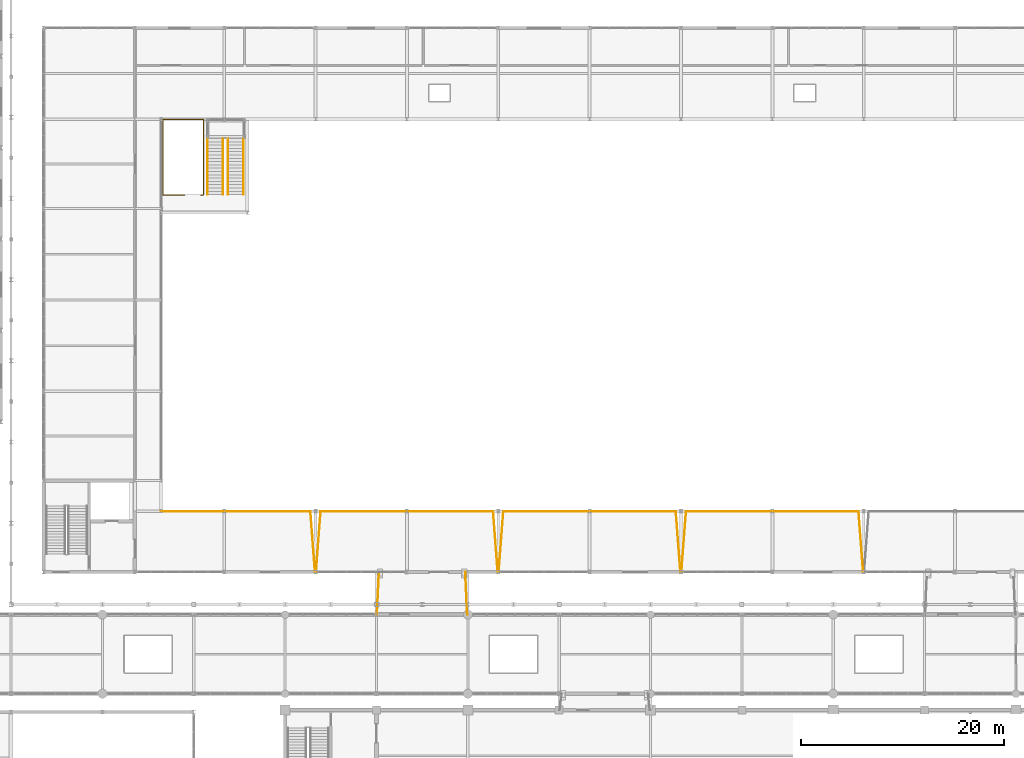
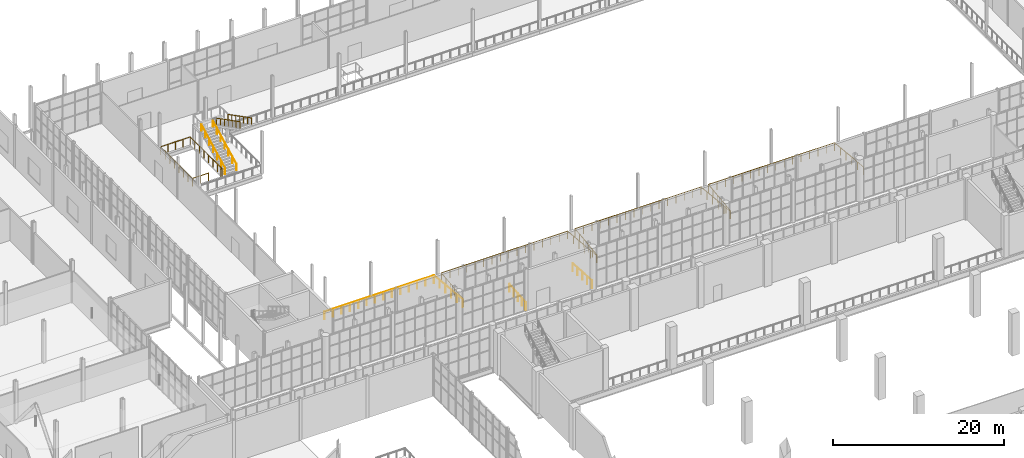
# One storey, part 150 of 159: 11 railings.
"""IFC4 building model written with IfcOpenShell, lengths in metres."""

from ifc_helpers import new_model, si_unit, direction, frame, origin, origin_2d, place, context, subcontext, project, spatial, circle, extrude, material, type_object, element, save


model = new_model("IFC4")

# Units and contexts
model_context = context("Model", 3, precision=1e-05, world=origin(), true_north=direction((0.0, 1.0)))
body_context = subcontext(model_context, "Body", "Model", "MODEL_VIEW")
ifc_project = project(units=[si_unit("LENGTHUNIT", "METRE"), si_unit("AREAUNIT", "SQUARE_METRE"), si_unit("VOLUMEUNIT", "CUBIC_METRE"), si_unit("PLANEANGLEUNIT", "RADIAN"), si_unit("MASSUNIT", "GRAM", prefix="KILO")], contexts=[model_context])

# Site, building, storey
site_placement = place(None, origin())
site = spatial("IfcSite", under=ifc_project, at=site_placement, CompositionType="ELEMENT")
building_placement = place(site_placement, origin())
building = spatial("IfcBuilding", under=site, at=building_placement, Name="Cazmaro Siding Exhibition Halls", CompositionType="ELEMENT")
storey_placement = place(building_placement, frame((0.0, 0.0, 6.0)))
storey = spatial("IfcBuildingStorey", under=building, at=storey_placement, Name="L01", CompositionType="ELEMENT", Elevation=6.0)

# Railings
ifc_material_1 = material(Name="Laminated Glass and Brushed Stainless Steel Balustrade", Category="steel")
railing_type_1 = type_object("IfcRailingType", Name="RL-BAL-01", PredefinedType="BALUSTRADE", material=ifc_material_1)
railing_1_placement = place(storey_placement, frame((81.050048828125, 63.0, 0.0)))
element("IfcRailing", 1, at=railing_1_placement, inside=storey, type_object=railing_type_1, Name="Bridge SB-01 West Guard L01 RL-BAL-01 RL-G019", PredefinedType="BALUSTRADE", context=body_context, shape_type="SweptSolid", body=[
    extrude(circle(Radius=0.02392578125, at=origin_2d()), frame((0.0, 0.0, 1.09619140625), z_axis=(0.047554114695, 0.998868663126, 0.0), x_axis=(-0.998868663126, 0.047554114695, 0.0)), (0.0, 0.0, 1.0), 4.20458984375),
    extrude(circle(Radius=0.02099609375, at=origin_2d()), origin(), (0.0, 0.0, 1.0), 1.072021484375),
    extrude(circle(Radius=0.02099609375, at=origin_2d()), frame((0.050048828125, 1.050048828125, 0.0)), (0.0, 0.0, 1.0), 1.072021484375),
    extrude(circle(Radius=0.02099609375, at=origin_2d()), frame((0.10009765625, 2.10009765625, 0.0)), (0.0, 0.0, 1.0), 1.072021484375),
    extrude(circle(Radius=0.02099609375, at=origin_2d()), frame((0.14990234375, 3.14990234375, 0.0)), (0.0, 0.0, 1.0), 1.072021484375),
    extrude(circle(Radius=0.02099609375, at=origin_2d()), frame((0.199951171875, 4.199951171875, 0.0)), (0.0, 0.0, 1.0), 1.072021484375),
])
railing_2_placement = place(storey_placement, frame((89.949951171875, 63.0, 0.0)))
element("IfcRailing", 2, at=railing_2_placement, inside=storey, type_object=railing_type_1, Name="Bridge SB-01 East Guard L01 RL-BAL-01 RL-G020", PredefinedType="BALUSTRADE", context=body_context, shape_type="SweptSolid", body=[
    extrude(circle(Radius=0.02392578125, at=origin_2d()), frame((0.0, 0.0, 1.09619140625), z_axis=(-0.047554114695, 0.998868663126, 0.0), x_axis=(-0.998868663126, -0.047554114695, 0.0)), (0.0, 0.0, 1.0), 4.20458984375),
    extrude(circle(Radius=0.02099609375, at=origin_2d()), origin(), (0.0, 0.0, 1.0), 1.072021484375),
    extrude(circle(Radius=0.02099609375, at=origin_2d()), frame((-0.050048828125, 1.050048828125, 0.0)), (0.0, 0.0, 1.0), 1.072021484375),
    extrude(circle(Radius=0.02099609375, at=origin_2d()), frame((-0.10009765625, 2.10009765625, 0.0)), (0.0, 0.0, 1.0), 1.072021484375),
    extrude(circle(Radius=0.02099609375, at=origin_2d()), frame((-0.14990234375, 3.14990234375, 0.0)), (0.0, 0.0, 1.0), 1.072021484375),
    extrude(circle(Radius=0.02099609375, at=origin_2d()), frame((-0.199951171875, 4.199951171875, 0.0)), (0.0, 0.0, 1.0), 1.072021484375),
])
ifc_material_2 = material(Name="Interior Laminated Glass and Brushed Stainless Steel Balustrade", Category="steel")
railing_type_2 = type_object("IfcRailingType", Name="RL-BAL-02", PredefinedType="BALUSTRADE", material=ifc_material_2)
railing_3_placement = place(storey_placement, frame((59.75, 73.14990234375, 0.0)))
element("IfcRailing", 3, at=railing_3_placement, inside=storey, type_object=railing_type_2, Name="Hall A South Catwalk Guard L01 RL-BAL-02 RL-G011", PredefinedType="BALUSTRADE", context=body_context, shape_type="SweptSolid", body=[
    extrude(circle(Radius=0.02392578125, at=origin_2d()), frame((0.0, 0.0, 1.09619140625), z_axis=(1.0, 0.0, 0.0), x_axis=(0.0, 1.0, 0.0)), (0.0, 0.0, 1.0), 14.75),
    extrude(circle(Radius=0.02392578125, at=origin_2d()), frame((14.75, 0.0, 1.09619140625), z_axis=(0.076043350844, -0.997104512472, 0.0), x_axis=(0.997104512472, 0.076043350844, 0.0)), (0.0, 0.0, 1.0), 5.9169921875),
    extrude(circle(Radius=0.02099609375, at=origin_2d()), origin(), (0.0, 0.0, 1.0), 1.072021484375),
    extrude(circle(Radius=0.02099609375, at=origin_2d()), frame((1.134521484375, 0.0, 0.0)), (0.0, 0.0, 1.0), 1.072021484375),
    extrude(circle(Radius=0.02099609375, at=origin_2d()), frame((2.269287109375, 0.0, 0.0)), (0.0, 0.0, 1.0), 1.072021484375),
    extrude(circle(Radius=0.02099609375, at=origin_2d()), frame((3.40380859375, 0.0, 0.0)), (0.0, 0.0, 1.0), 1.072021484375),
    extrude(circle(Radius=0.02099609375, at=origin_2d()), frame((4.53857421875, 0.0, 0.0)), (0.0, 0.0, 1.0), 1.072021484375),
    extrude(circle(Radius=0.02099609375, at=origin_2d()), frame((5.673095703125, 0.0, 0.0)), (0.0, 0.0, 1.0), 1.072021484375),
    extrude(circle(Radius=0.02099609375, at=origin_2d()), frame((6.8076171875, 0.0, 0.0)), (0.0, 0.0, 1.0), 1.072021484375),
    extrude(circle(Radius=0.02099609375, at=origin_2d()), frame((7.9423828125, 0.0, 0.0)), (0.0, 0.0, 1.0), 1.072021484375),
    extrude(circle(Radius=0.02099609375, at=origin_2d()), frame((9.076904296875, 0.0, 0.0)), (0.0, 0.0, 1.0), 1.072021484375),
    extrude(circle(Radius=0.02099609375, at=origin_2d()), frame((10.21142578125, 0.0, 0.0)), (0.0, 0.0, 1.0), 1.072021484375),
    extrude(circle(Radius=0.02099609375, at=origin_2d()), frame((11.34619140625, 0.0, 0.0)), (0.0, 0.0, 1.0), 1.072021484375),
    extrude(circle(Radius=0.02099609375, at=origin_2d()), frame((12.480712890625, 0.0, 0.0)), (0.0, 0.0, 1.0), 1.072021484375),
    extrude(circle(Radius=0.02099609375, at=origin_2d()), frame((13.615478515625, 0.0, 0.0)), (0.0, 0.0, 1.0), 1.072021484375),
    extrude(circle(Radius=0.02099609375, at=origin_2d()), frame((14.75, 0.0, 0.0)), (0.0, 0.0, 1.0), 1.072021484375),
    extrude(circle(Radius=0.02099609375, at=origin_2d()), frame((14.840087890625, -1.179931640625, 0.0)), (0.0, 0.0, 1.0), 1.072021484375),
    extrude(circle(Radius=0.02099609375, at=origin_2d()), frame((14.929931640625, -2.35986328125, 0.0)), (0.0, 0.0, 1.0), 1.072021484375),
    extrude(circle(Radius=0.02099609375, at=origin_2d()), frame((15.02001953125, -3.5400390625, 0.0)), (0.0, 0.0, 1.0), 1.072021484375),
    extrude(circle(Radius=0.02099609375, at=origin_2d()), frame((15.10986328125, -4.719970703125, 0.0)), (0.0, 0.0, 1.0), 1.072021484375),
    extrude(circle(Radius=0.02099609375, at=origin_2d()), frame((15.199951171875, -5.89990234375, 0.0)), (0.0, 0.0, 1.0), 1.072021484375),
])
railing_4_placement = place(storey_placement, frame((75.050048828125, 67.25, 0.0)))
element("IfcRailing", 4, at=railing_4_placement, inside=storey, type_object=railing_type_2, Name="Hall A South Catwalk Guard L01 RL-BAL-02 RL-G012", PredefinedType="BALUSTRADE", context=body_context, shape_type="SweptSolid", body=[
    extrude(circle(Radius=0.02392578125, at=origin_2d()), frame((0.0, 0.0, 1.09619140625), z_axis=(0.076043350844, 0.997104512472, 0.0), x_axis=(-0.997104512472, 0.076043350844, 0.0)), (0.0, 0.0, 1.0), 5.9169921875),
    extrude(circle(Radius=0.02392578125, at=origin_2d()), frame((0.449951171875, 5.89990234375, 1.09619140625), z_axis=(1.0, 0.0, 0.0), x_axis=(0.0, 1.0, 0.0)), (0.0, 0.0, 1.0), 17.0),
    extrude(circle(Radius=0.02392578125, at=origin_2d()), frame((17.449951171875, 5.89990234375, 1.09619140625), z_axis=(0.076043350844, -0.997104512472, 0.0), x_axis=(0.997104512472, 0.076043350844, 0.0)), (0.0, 0.0, 1.0), 5.9169921875),
    extrude(circle(Radius=0.02099609375, at=origin_2d()), origin(), (0.0, 0.0, 1.0), 1.072021484375),
    extrude(circle(Radius=0.02099609375, at=origin_2d()), frame((0.090087890625, 1.179931640625, 0.0)), (0.0, 0.0, 1.0), 1.072021484375),
    extrude(circle(Radius=0.02099609375, at=origin_2d()), frame((0.179931640625, 2.35986328125, 0.0)), (0.0, 0.0, 1.0), 1.072021484375),
    extrude(circle(Radius=0.02099609375, at=origin_2d()), frame((0.27001953125, 3.5400390625, 0.0)), (0.0, 0.0, 1.0), 1.072021484375),
    extrude(circle(Radius=0.02099609375, at=origin_2d()), frame((0.35986328125, 4.719970703125, 0.0)), (0.0, 0.0, 1.0), 1.072021484375),
    extrude(circle(Radius=0.02099609375, at=origin_2d()), frame((0.449951171875, 5.89990234375, 0.0)), (0.0, 0.0, 1.0), 1.072021484375),
    extrude(circle(Radius=0.02099609375, at=origin_2d()), frame((1.583251953125, 5.89990234375, 0.0)), (0.0, 0.0, 1.0), 1.072021484375),
    extrude(circle(Radius=0.02099609375, at=origin_2d()), frame((2.716552734375, 5.89990234375, 0.0)), (0.0, 0.0, 1.0), 1.072021484375),
    extrude(circle(Radius=0.02099609375, at=origin_2d()), frame((3.849853515625, 5.89990234375, 0.0)), (0.0, 0.0, 1.0), 1.072021484375),
    extrude(circle(Radius=0.02099609375, at=origin_2d()), frame((4.9833984375, 5.89990234375, 0.0)), (0.0, 0.0, 1.0), 1.072021484375),
    extrude(circle(Radius=0.02099609375, at=origin_2d()), frame((6.11669921875, 5.89990234375, 0.0)), (0.0, 0.0, 1.0), 1.072021484375),
    extrude(circle(Radius=0.02099609375, at=origin_2d()), frame((7.25, 5.89990234375, 0.0)), (0.0, 0.0, 1.0), 1.072021484375),
    extrude(circle(Radius=0.02099609375, at=origin_2d()), frame((8.38330078125, 5.89990234375, 0.0)), (0.0, 0.0, 1.0), 1.072021484375),
    extrude(circle(Radius=0.02099609375, at=origin_2d()), frame((9.5166015625, 5.89990234375, 0.0)), (0.0, 0.0, 1.0), 1.072021484375),
    extrude(circle(Radius=0.02099609375, at=origin_2d()), frame((10.64990234375, 5.89990234375, 0.0)), (0.0, 0.0, 1.0), 1.072021484375),
    extrude(circle(Radius=0.02099609375, at=origin_2d()), frame((11.783203125, 5.89990234375, 0.0)), (0.0, 0.0, 1.0), 1.072021484375),
    extrude(circle(Radius=0.02099609375, at=origin_2d()), frame((12.91650390625, 5.89990234375, 0.0)), (0.0, 0.0, 1.0), 1.072021484375),
    extrude(circle(Radius=0.02099609375, at=origin_2d()), frame((14.050048828125, 5.89990234375, 0.0)), (0.0, 0.0, 1.0), 1.072021484375),
    extrude(circle(Radius=0.02099609375, at=origin_2d()), frame((15.183349609375, 5.89990234375, 0.0)), (0.0, 0.0, 1.0), 1.072021484375),
    extrude(circle(Radius=0.02099609375, at=origin_2d()), frame((16.316650390625, 5.89990234375, 0.0)), (0.0, 0.0, 1.0), 1.072021484375),
    extrude(circle(Radius=0.02099609375, at=origin_2d()), frame((17.449951171875, 5.89990234375, 0.0)), (0.0, 0.0, 1.0), 1.072021484375),
    extrude(circle(Radius=0.02099609375, at=origin_2d()), frame((17.5400390625, 4.719970703125, 0.0)), (0.0, 0.0, 1.0), 1.072021484375),
    extrude(circle(Radius=0.02099609375, at=origin_2d()), frame((17.6298828125, 3.5400390625, 0.0)), (0.0, 0.0, 1.0), 1.072021484375),
    extrude(circle(Radius=0.02099609375, at=origin_2d()), frame((17.719970703125, 2.35986328125, 0.0)), (0.0, 0.0, 1.0), 1.072021484375),
    extrude(circle(Radius=0.02099609375, at=origin_2d()), frame((17.809814453125, 1.179931640625, 0.0)), (0.0, 0.0, 1.0), 1.072021484375),
    extrude(circle(Radius=0.02099609375, at=origin_2d()), frame((17.89990234375, 0.0, 0.0)), (0.0, 0.0, 1.0), 1.072021484375),
])
railing_5_placement = place(storey_placement, frame((93.050048828125, 67.25, 0.0)))
element("IfcRailing", 5, at=railing_5_placement, inside=storey, type_object=railing_type_2, Name="Hall A South Catwalk Guard L01 RL-BAL-02 RL-G013", PredefinedType="BALUSTRADE", context=body_context, shape_type="SweptSolid", body=[
    extrude(circle(Radius=0.02392578125, at=origin_2d()), frame((0.0, 0.0, 1.09619140625), z_axis=(0.076043350844, 0.997104512472, 0.0), x_axis=(-0.997104512472, 0.076043350844, 0.0)), (0.0, 0.0, 1.0), 5.9169921875),
    extrude(circle(Radius=0.02392578125, at=origin_2d()), frame((0.449951171875, 5.89990234375, 1.09619140625), z_axis=(1.0, 0.0, 0.0), x_axis=(0.0, 1.0, 0.0)), (0.0, 0.0, 1.0), 17.0),
    extrude(circle(Radius=0.02392578125, at=origin_2d()), frame((17.449951171875, 5.89990234375, 1.09619140625), z_axis=(0.076043350844, -0.997104512472, 0.0), x_axis=(0.997104512472, 0.076043350844, 0.0)), (0.0, 0.0, 1.0), 5.9169921875),
    extrude(circle(Radius=0.02099609375, at=origin_2d()), origin(), (0.0, 0.0, 1.0), 1.072021484375),
    extrude(circle(Radius=0.02099609375, at=origin_2d()), frame((0.090087890625, 1.179931640625, 0.0)), (0.0, 0.0, 1.0), 1.072021484375),
    extrude(circle(Radius=0.02099609375, at=origin_2d()), frame((0.179931640625, 2.35986328125, 0.0)), (0.0, 0.0, 1.0), 1.072021484375),
    extrude(circle(Radius=0.02099609375, at=origin_2d()), frame((0.27001953125, 3.5400390625, 0.0)), (0.0, 0.0, 1.0), 1.072021484375),
    extrude(circle(Radius=0.02099609375, at=origin_2d()), frame((0.35986328125, 4.719970703125, 0.0)), (0.0, 0.0, 1.0), 1.072021484375),
    extrude(circle(Radius=0.02099609375, at=origin_2d()), frame((0.449951171875, 5.89990234375, 0.0)), (0.0, 0.0, 1.0), 1.072021484375),
    extrude(circle(Radius=0.02099609375, at=origin_2d()), frame((1.583251953125, 5.89990234375, 0.0)), (0.0, 0.0, 1.0), 1.072021484375),
    extrude(circle(Radius=0.02099609375, at=origin_2d()), frame((2.716552734375, 5.89990234375, 0.0)), (0.0, 0.0, 1.0), 1.072021484375),
    extrude(circle(Radius=0.02099609375, at=origin_2d()), frame((3.849853515625, 5.89990234375, 0.0)), (0.0, 0.0, 1.0), 1.072021484375),
    extrude(circle(Radius=0.02099609375, at=origin_2d()), frame((4.9833984375, 5.89990234375, 0.0)), (0.0, 0.0, 1.0), 1.072021484375),
    extrude(circle(Radius=0.02099609375, at=origin_2d()), frame((6.11669921875, 5.89990234375, 0.0)), (0.0, 0.0, 1.0), 1.072021484375),
    extrude(circle(Radius=0.02099609375, at=origin_2d()), frame((7.25, 5.89990234375, 0.0)), (0.0, 0.0, 1.0), 1.072021484375),
    extrude(circle(Radius=0.02099609375, at=origin_2d()), frame((8.38330078125, 5.89990234375, 0.0)), (0.0, 0.0, 1.0), 1.072021484375),
    extrude(circle(Radius=0.02099609375, at=origin_2d()), frame((9.5166015625, 5.89990234375, 0.0)), (0.0, 0.0, 1.0), 1.072021484375),
    extrude(circle(Radius=0.02099609375, at=origin_2d()), frame((10.64990234375, 5.89990234375, 0.0)), (0.0, 0.0, 1.0), 1.072021484375),
    extrude(circle(Radius=0.02099609375, at=origin_2d()), frame((11.783203125, 5.89990234375, 0.0)), (0.0, 0.0, 1.0), 1.072021484375),
    extrude(circle(Radius=0.02099609375, at=origin_2d()), frame((12.91650390625, 5.89990234375, 0.0)), (0.0, 0.0, 1.0), 1.072021484375),
    extrude(circle(Radius=0.02099609375, at=origin_2d()), frame((14.050048828125, 5.89990234375, 0.0)), (0.0, 0.0, 1.0), 1.072021484375),
    extrude(circle(Radius=0.02099609375, at=origin_2d()), frame((15.183349609375, 5.89990234375, 0.0)), (0.0, 0.0, 1.0), 1.072021484375),
    extrude(circle(Radius=0.02099609375, at=origin_2d()), frame((16.316650390625, 5.89990234375, 0.0)), (0.0, 0.0, 1.0), 1.072021484375),
    extrude(circle(Radius=0.02099609375, at=origin_2d()), frame((17.449951171875, 5.89990234375, 0.0)), (0.0, 0.0, 1.0), 1.072021484375),
    extrude(circle(Radius=0.02099609375, at=origin_2d()), frame((17.5400390625, 4.719970703125, 0.0)), (0.0, 0.0, 1.0), 1.072021484375),
    extrude(circle(Radius=0.02099609375, at=origin_2d()), frame((17.6298828125, 3.5400390625, 0.0)), (0.0, 0.0, 1.0), 1.072021484375),
    extrude(circle(Radius=0.02099609375, at=origin_2d()), frame((17.719970703125, 2.35986328125, 0.0)), (0.0, 0.0, 1.0), 1.072021484375),
    extrude(circle(Radius=0.02099609375, at=origin_2d()), frame((17.809814453125, 1.179931640625, 0.0)), (0.0, 0.0, 1.0), 1.072021484375),
    extrude(circle(Radius=0.02099609375, at=origin_2d()), frame((17.89990234375, 0.0, 0.0)), (0.0, 0.0, 1.0), 1.072021484375),
])
railing_6_placement = place(storey_placement, frame((111.050048828125, 67.25, 0.0)))
element("IfcRailing", 6, at=railing_6_placement, inside=storey, type_object=railing_type_2, Name="Hall A South Catwalk Guard L01 RL-BAL-02 RL-G014", PredefinedType="BALUSTRADE", context=body_context, shape_type="SweptSolid", body=[
    extrude(circle(Radius=0.02392578125, at=origin_2d()), frame((0.0, 0.0, 1.09619140625), z_axis=(0.076043350844, 0.997104512472, 0.0), x_axis=(-0.997104512472, 0.076043350844, 0.0)), (0.0, 0.0, 1.0), 5.9169921875),
    extrude(circle(Radius=0.02392578125, at=origin_2d()), frame((0.449951171875, 5.89990234375, 1.09619140625), z_axis=(1.0, 0.0, 0.0), x_axis=(0.0, 1.0, 0.0)), (0.0, 0.0, 1.0), 17.0),
    extrude(circle(Radius=0.02392578125, at=origin_2d()), frame((17.449951171875, 5.89990234375, 1.09619140625), z_axis=(0.076043350844, -0.997104512472, 0.0), x_axis=(0.997104512472, 0.076043350844, 0.0)), (0.0, 0.0, 1.0), 5.9169921875),
    extrude(circle(Radius=0.02099609375, at=origin_2d()), origin(), (0.0, 0.0, 1.0), 1.072021484375),
    extrude(circle(Radius=0.02099609375, at=origin_2d()), frame((0.090087890625, 1.179931640625, 0.0)), (0.0, 0.0, 1.0), 1.072021484375),
    extrude(circle(Radius=0.02099609375, at=origin_2d()), frame((0.179931640625, 2.35986328125, 0.0)), (0.0, 0.0, 1.0), 1.072021484375),
    extrude(circle(Radius=0.02099609375, at=origin_2d()), frame((0.27001953125, 3.5400390625, 0.0)), (0.0, 0.0, 1.0), 1.072021484375),
    extrude(circle(Radius=0.02099609375, at=origin_2d()), frame((0.35986328125, 4.719970703125, 0.0)), (0.0, 0.0, 1.0), 1.072021484375),
    extrude(circle(Radius=0.02099609375, at=origin_2d()), frame((0.449951171875, 5.89990234375, 0.0)), (0.0, 0.0, 1.0), 1.072021484375),
    extrude(circle(Radius=0.02099609375, at=origin_2d()), frame((1.583251953125, 5.89990234375, 0.0)), (0.0, 0.0, 1.0), 1.072021484375),
    extrude(circle(Radius=0.02099609375, at=origin_2d()), frame((2.716552734375, 5.89990234375, 0.0)), (0.0, 0.0, 1.0), 1.072021484375),
    extrude(circle(Radius=0.02099609375, at=origin_2d()), frame((3.849853515625, 5.89990234375, 0.0)), (0.0, 0.0, 1.0), 1.072021484375),
    extrude(circle(Radius=0.02099609375, at=origin_2d()), frame((4.9833984375, 5.89990234375, 0.0)), (0.0, 0.0, 1.0), 1.072021484375),
    extrude(circle(Radius=0.02099609375, at=origin_2d()), frame((6.11669921875, 5.89990234375, 0.0)), (0.0, 0.0, 1.0), 1.072021484375),
    extrude(circle(Radius=0.02099609375, at=origin_2d()), frame((7.25, 5.89990234375, 0.0)), (0.0, 0.0, 1.0), 1.072021484375),
    extrude(circle(Radius=0.02099609375, at=origin_2d()), frame((8.38330078125, 5.89990234375, 0.0)), (0.0, 0.0, 1.0), 1.072021484375),
    extrude(circle(Radius=0.02099609375, at=origin_2d()), frame((9.5166015625, 5.89990234375, 0.0)), (0.0, 0.0, 1.0), 1.072021484375),
    extrude(circle(Radius=0.02099609375, at=origin_2d()), frame((10.64990234375, 5.89990234375, 0.0)), (0.0, 0.0, 1.0), 1.072021484375),
    extrude(circle(Radius=0.02099609375, at=origin_2d()), frame((11.783203125, 5.89990234375, 0.0)), (0.0, 0.0, 1.0), 1.072021484375),
    extrude(circle(Radius=0.02099609375, at=origin_2d()), frame((12.91650390625, 5.89990234375, 0.0)), (0.0, 0.0, 1.0), 1.072021484375),
    extrude(circle(Radius=0.02099609375, at=origin_2d()), frame((14.050048828125, 5.89990234375, 0.0)), (0.0, 0.0, 1.0), 1.072021484375),
    extrude(circle(Radius=0.02099609375, at=origin_2d()), frame((15.183349609375, 5.89990234375, 0.0)), (0.0, 0.0, 1.0), 1.072021484375),
    extrude(circle(Radius=0.02099609375, at=origin_2d()), frame((16.316650390625, 5.89990234375, 0.0)), (0.0, 0.0, 1.0), 1.072021484375),
    extrude(circle(Radius=0.02099609375, at=origin_2d()), frame((17.449951171875, 5.89990234375, 0.0)), (0.0, 0.0, 1.0), 1.072021484375),
    extrude(circle(Radius=0.02099609375, at=origin_2d()), frame((17.5400390625, 4.719970703125, 0.0)), (0.0, 0.0, 1.0), 1.072021484375),
    extrude(circle(Radius=0.02099609375, at=origin_2d()), frame((17.6298828125, 3.5400390625, 0.0)), (0.0, 0.0, 1.0), 1.072021484375),
    extrude(circle(Radius=0.02099609375, at=origin_2d()), frame((17.719970703125, 2.35986328125, 0.0)), (0.0, 0.0, 1.0), 1.072021484375),
    extrude(circle(Radius=0.02099609375, at=origin_2d()), frame((17.809814453125, 1.179931640625, 0.0)), (0.0, 0.0, 1.0), 1.072021484375),
    extrude(circle(Radius=0.02099609375, at=origin_2d()), frame((17.89990234375, 0.0, 0.0)), (0.0, 0.0, 1.0), 1.072021484375),
])
ifc_material_3 = material(Name="Painted Steel Stairwell Guardrail", Category="steel")
railing_type_3 = type_object("IfcRailingType", Name="RL-GRD-01", PredefinedType="GUARDRAIL", material=ifc_material_3)
railing_7_placement = place(storey_placement, frame((62.10498046875, 104.360107421875, 0.0)))
element("IfcRailing", 7, at=railing_7_placement, inside=storey, type_object=railing_type_3, Name="ST-22 Upper Stairwell Guard RL-GRD-01 RL-SG045", PredefinedType="GUARDRAIL", context=body_context, shape_type="SweptSolid", body=[
    extrude(circle(Radius=0.02392578125, at=origin_2d()), frame((0.0, 0.0, 1.09619140625), z_axis=(-1.0, 0.0, 0.0), x_axis=(0.0, -1.0, 0.0)), (0.0, 0.0, 1.0), 2.14501953125),
    extrude(circle(Radius=0.02392578125, at=origin_2d()), frame((-2.14501953125, 0.0, 1.09619140625), z_axis=(0.0, 1.0, 0.0), x_axis=(-1.0, 0.0, 0.0)), (0.0, 0.0, 1.0), 7.429931640625),
    extrude(circle(Radius=0.02392578125, at=origin_2d()), frame((-2.14501953125, 7.429931640625, 1.09619140625), z_axis=(1.0, 0.0, 0.0), x_axis=(0.0, 1.0, 0.0)), (0.0, 0.0, 1.0), 3.97998046875),
    extrude(circle(Radius=0.02392578125, at=origin_2d()), frame((1.8349609375, 7.429931640625, 1.09619140625), z_axis=(0.0, -1.0, 0.0), x_axis=(1.0, 0.0, 0.0)), (0.0, 0.0, 1.0), 7.429931640625),
    extrude(circle(Radius=0.02392578125, at=origin_2d()), frame((1.8349609375, 0.0, 1.09619140625), z_axis=(-1.0, 0.0, 0.0), x_axis=(0.0, -1.0, 0.0)), (0.0, 0.0, 1.0), 0.244873046875),
    extrude(circle(Radius=0.02099609375, at=origin_2d()), origin(), (0.0, 0.0, 1.0), 1.072021484375),
    extrude(circle(Radius=0.02099609375, at=origin_2d()), frame((-1.072509765625, 0.0, 0.0)), (0.0, 0.0, 1.0), 1.072021484375),
    extrude(circle(Radius=0.02099609375, at=origin_2d()), frame((-2.14501953125, 0.0, 0.0)), (0.0, 0.0, 1.0), 1.072021484375),
    extrude(circle(Radius=0.02099609375, at=origin_2d()), frame((-2.14501953125, 1.0615234375, 0.0)), (0.0, 0.0, 1.0), 1.072021484375),
    extrude(circle(Radius=0.02099609375, at=origin_2d()), frame((-2.14501953125, 2.122802734375, 0.0)), (0.0, 0.0, 1.0), 1.072021484375),
    extrude(circle(Radius=0.02099609375, at=origin_2d()), frame((-2.14501953125, 3.184326171875, 0.0)), (0.0, 0.0, 1.0), 1.072021484375),
    extrude(circle(Radius=0.02099609375, at=origin_2d()), frame((-2.14501953125, 4.24560546875, 0.0)), (0.0, 0.0, 1.0), 1.072021484375),
    extrude(circle(Radius=0.02099609375, at=origin_2d()), frame((-2.14501953125, 5.30712890625, 0.0)), (0.0, 0.0, 1.0), 1.072021484375),
    extrude(circle(Radius=0.02099609375, at=origin_2d()), frame((-2.14501953125, 6.368408203125, 0.0)), (0.0, 0.0, 1.0), 1.072021484375),
    extrude(circle(Radius=0.02099609375, at=origin_2d()), frame((-2.14501953125, 7.429931640625, 0.0)), (0.0, 0.0, 1.0), 1.072021484375),
    extrude(circle(Radius=0.02099609375, at=origin_2d()), frame((-1.14990234375, 7.429931640625, 0.0)), (0.0, 0.0, 1.0), 1.072021484375),
    extrude(circle(Radius=0.02099609375, at=origin_2d()), frame((-0.155029296875, 7.429931640625, 0.0)), (0.0, 0.0, 1.0), 1.072021484375),
    extrude(circle(Radius=0.02099609375, at=origin_2d()), frame((0.83984375, 7.429931640625, 0.0)), (0.0, 0.0, 1.0), 1.072021484375),
    extrude(circle(Radius=0.02099609375, at=origin_2d()), frame((1.8349609375, 7.429931640625, 0.0)), (0.0, 0.0, 1.0), 1.072021484375),
    extrude(circle(Radius=0.02099609375, at=origin_2d()), frame((1.8349609375, 6.368408203125, 0.0)), (0.0, 0.0, 1.0), 1.072021484375),
    extrude(circle(Radius=0.02099609375, at=origin_2d()), frame((1.8349609375, 5.30712890625, 0.0)), (0.0, 0.0, 1.0), 1.072021484375),
    extrude(circle(Radius=0.02099609375, at=origin_2d()), frame((1.8349609375, 4.24560546875, 0.0)), (0.0, 0.0, 1.0), 1.072021484375),
    extrude(circle(Radius=0.02099609375, at=origin_2d()), frame((1.8349609375, 3.184326171875, 0.0)), (0.0, 0.0, 1.0), 1.072021484375),
    extrude(circle(Radius=0.02099609375, at=origin_2d()), frame((1.8349609375, 2.122802734375, 0.0)), (0.0, 0.0, 1.0), 1.072021484375),
    extrude(circle(Radius=0.02099609375, at=origin_2d()), frame((1.8349609375, 1.0615234375, 0.0)), (0.0, 0.0, 1.0), 1.072021484375),
    extrude(circle(Radius=0.02099609375, at=origin_2d()), frame((1.8349609375, 0.0, 0.0)), (0.0, 0.0, 1.0), 1.072021484375),
    extrude(circle(Radius=0.02099609375, at=origin_2d()), frame((1.590087890625, 0.0, 0.0)), (0.0, 0.0, 1.0), 1.072021484375),
])
ifc_material_4 = material(Name="Brushed Stainless Steel Tubular Handrail", Category="steel")
railing_type_4 = type_object("IfcRailingType", Name="RL-HR-01", PredefinedType="HANDRAIL", material=ifc_material_4)
railing_8_placement = place(storey_placement, frame((64.360107421875, 104.3798828125, 0.1669921875)))
element("IfcRailing", 8, at=railing_8_placement, inside=storey, type_object=railing_type_4, Name="ST-23 Flight 1 Handrail 1", PredefinedType="HANDRAIL", context=body_context, shape_type="SweptSolid", body=[
    extrude(circle(Radius=0.02392578125, at=origin_2d()), frame((0.0, 0.0, 0.89599609375), z_axis=(0.0, 0.88984366082, 0.45626555787), x_axis=(-1.0, 0.0, 0.0)), (0.0, 0.0, 1.0), 6.209228515625),
    extrude(circle(Radius=0.02099609375, at=origin_2d()), origin(), (0.0, 0.0, 1.0), 0.871826171875),
    extrude(circle(Radius=0.02099609375, at=origin_2d()), frame((0.0, 0.9208984375, 0.47216796875)), (0.0, 0.0, 1.0), 0.871826171875),
    extrude(circle(Radius=0.02099609375, at=origin_2d()), frame((0.0, 1.841796875, 0.9443359375)), (0.0, 0.0, 1.0), 0.871826171875),
    extrude(circle(Radius=0.02099609375, at=origin_2d()), frame((0.0, 2.7626953125, 1.41650390625)), (0.0, 0.0, 1.0), 0.871826171875),
    extrude(circle(Radius=0.02099609375, at=origin_2d()), frame((0.0, 3.683349609375, 1.888671875)), (0.0, 0.0, 1.0), 0.871826171875),
    extrude(circle(Radius=0.02099609375, at=origin_2d()), frame((0.0, 4.604248046875, 2.36083984375)), (0.0, 0.0, 1.0), 0.871826171875),
    extrude(circle(Radius=0.02099609375, at=origin_2d()), frame((0.0, 5.525146484375, 2.8330078125)), (0.0, 0.0, 1.0), 0.871826171875),
])
railing_9_placement = place(storey_placement, frame((66.3798828125, 109.905029296875, 3.1669921875)))
element("IfcRailing", 9, at=railing_9_placement, inside=storey, type_object=railing_type_4, Name="ST-23 Flight 2 Handrail 1", PredefinedType="HANDRAIL", context=body_context, shape_type="SweptSolid", body=[
    extrude(circle(Radius=0.02392578125, at=origin_2d()), frame((0.0, 0.0, 0.89599609375), z_axis=(0.0, -0.88984366082, 0.45626555787), x_axis=(1.0, 0.0, 0.0)), (0.0, 0.0, 1.0), 6.209228515625),
    extrude(circle(Radius=0.02099609375, at=origin_2d()), origin(), (0.0, 0.0, 1.0), 0.871826171875),
    extrude(circle(Radius=0.02099609375, at=origin_2d()), frame((0.0, -0.9208984375, 0.47216796875)), (0.0, 0.0, 1.0), 0.871826171875),
    extrude(circle(Radius=0.02099609375, at=origin_2d()), frame((0.0, -1.841796875, 0.9443359375)), (0.0, 0.0, 1.0), 0.871826171875),
    extrude(circle(Radius=0.02099609375, at=origin_2d()), frame((0.0, -2.7626953125, 1.41650390625)), (0.0, 0.0, 1.0), 0.871826171875),
    extrude(circle(Radius=0.02099609375, at=origin_2d()), frame((0.0, -3.683349609375, 1.888671875)), (0.0, 0.0, 1.0), 0.871826171875),
    extrude(circle(Radius=0.02099609375, at=origin_2d()), frame((0.0, -4.604248046875, 2.36083984375)), (0.0, 0.0, 1.0), 0.871826171875),
    extrude(circle(Radius=0.02099609375, at=origin_2d()), frame((0.0, -5.525146484375, 2.8330078125)), (0.0, 0.0, 1.0), 0.871826171875),
])
railing_10_placement = place(storey_placement, frame((65.89990234375, 104.3798828125, 0.1669921875)))
element("IfcRailing", 10, at=railing_10_placement, inside=storey, type_object=railing_type_4, Name="ST-23 Flight 1 Handrail 2", PredefinedType="HANDRAIL", context=body_context, shape_type="SweptSolid", body=[
    extrude(circle(Radius=0.02392578125, at=origin_2d()), frame((0.0, 0.0, 0.89599609375), z_axis=(0.0, 0.88984366082, 0.45626555787), x_axis=(-1.0, 0.0, 0.0)), (0.0, 0.0, 1.0), 6.209228515625),
    extrude(circle(Radius=0.02099609375, at=origin_2d()), origin(), (0.0, 0.0, 1.0), 0.871826171875),
    extrude(circle(Radius=0.02099609375, at=origin_2d()), frame((0.0, 0.9208984375, 0.47216796875)), (0.0, 0.0, 1.0), 0.871826171875),
    extrude(circle(Radius=0.02099609375, at=origin_2d()), frame((0.0, 1.841796875, 0.9443359375)), (0.0, 0.0, 1.0), 0.871826171875),
    extrude(circle(Radius=0.02099609375, at=origin_2d()), frame((0.0, 2.7626953125, 1.41650390625)), (0.0, 0.0, 1.0), 0.871826171875),
    extrude(circle(Radius=0.02099609375, at=origin_2d()), frame((0.0, 3.683349609375, 1.888671875)), (0.0, 0.0, 1.0), 0.871826171875),
    extrude(circle(Radius=0.02099609375, at=origin_2d()), frame((0.0, 4.604248046875, 2.36083984375)), (0.0, 0.0, 1.0), 0.871826171875),
    extrude(circle(Radius=0.02099609375, at=origin_2d()), frame((0.0, 5.525146484375, 2.8330078125)), (0.0, 0.0, 1.0), 0.871826171875),
])
railing_11_placement = place(storey_placement, frame((67.919921875, 109.905029296875, 3.1669921875)))
element("IfcRailing", 11, at=railing_11_placement, inside=storey, type_object=railing_type_4, Name="ST-23 Flight 2 Handrail 2", PredefinedType="HANDRAIL", context=body_context, shape_type="SweptSolid", body=[
    extrude(circle(Radius=0.02392578125, at=origin_2d()), frame((0.0, 0.0, 0.89599609375), z_axis=(0.0, -0.88984366082, 0.45626555787), x_axis=(1.0, 0.0, 0.0)), (0.0, 0.0, 1.0), 6.209228515625),
    extrude(circle(Radius=0.02099609375, at=origin_2d()), origin(), (0.0, 0.0, 1.0), 0.871826171875),
    extrude(circle(Radius=0.02099609375, at=origin_2d()), frame((0.0, -0.9208984375, 0.47216796875)), (0.0, 0.0, 1.0), 0.871826171875),
    extrude(circle(Radius=0.02099609375, at=origin_2d()), frame((0.0, -1.841796875, 0.9443359375)), (0.0, 0.0, 1.0), 0.871826171875),
    extrude(circle(Radius=0.02099609375, at=origin_2d()), frame((0.0, -2.7626953125, 1.41650390625)), (0.0, 0.0, 1.0), 0.871826171875),
    extrude(circle(Radius=0.02099609375, at=origin_2d()), frame((0.0, -3.683349609375, 1.888671875)), (0.0, 0.0, 1.0), 0.871826171875),
    extrude(circle(Radius=0.02099609375, at=origin_2d()), frame((0.0, -4.604248046875, 2.36083984375)), (0.0, 0.0, 1.0), 0.871826171875),
    extrude(circle(Radius=0.02099609375, at=origin_2d()), frame((0.0, -5.525146484375, 2.8330078125)), (0.0, 0.0, 1.0), 0.871826171875),
])

save(model, "model.ifc")
